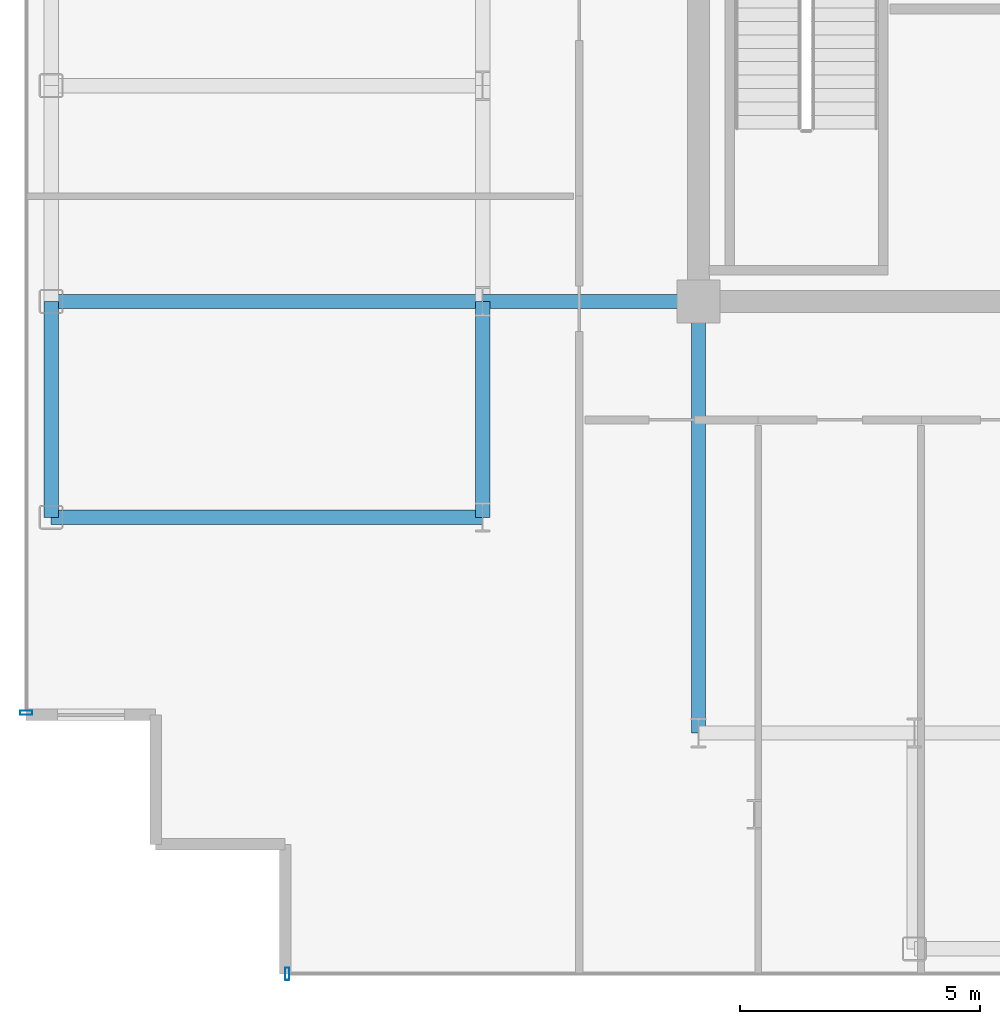
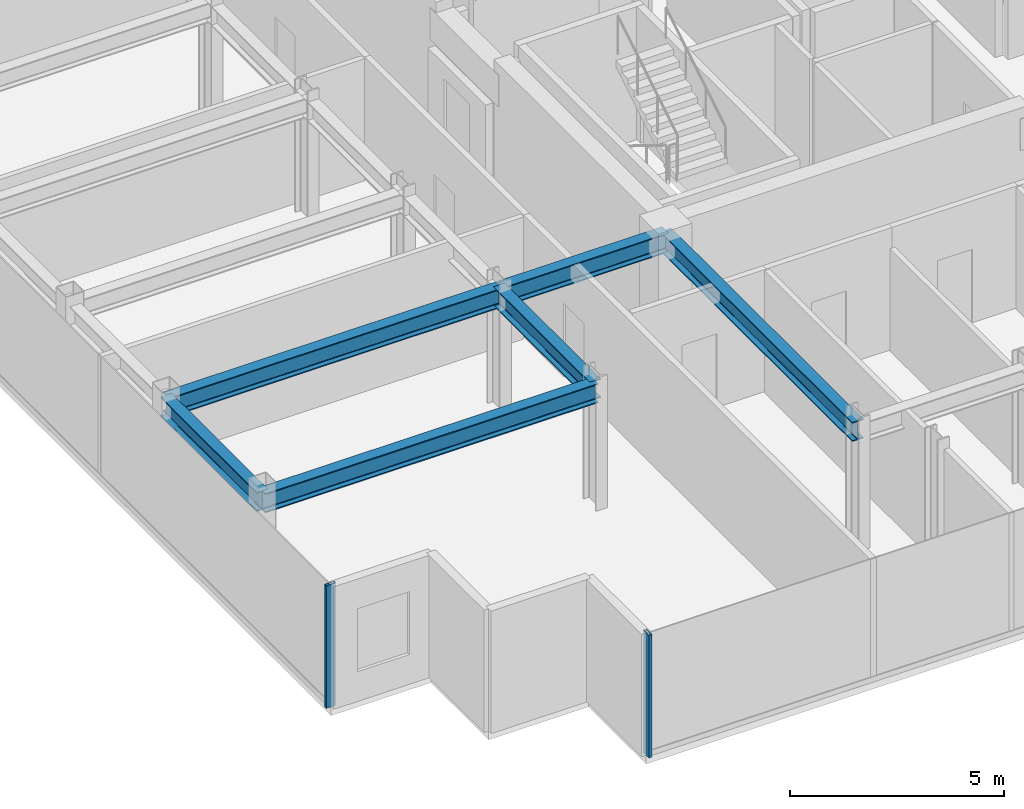
# One storey, part 2 of 18: 6 beams, 2 members, 2 elements without a shape of their own.
"""IFC4 building model written with IfcOpenShell, lengths in metres."""

from ifc_helpers import new_model, si_unit, direction, frame, origin, origin_2d, place, context, subcontext, project, spatial, hollow_rectangle, i_section, extrude, source, transform, mapped, material, layer, layer_set, material_profile, profile_set, type_object, element, aggregate, save


model = new_model("IFC4")

# Units and contexts
model_context = context("Model", 3, precision=1e-05, world=origin(), true_north=direction((0.0, 1.0)))
body_context = subcontext(model_context, "Body", "Model", "MODEL_VIEW")
ifc_project = project(units=[si_unit("LENGTHUNIT", "METRE"), si_unit("AREAUNIT", "SQUARE_METRE"), si_unit("VOLUMEUNIT", "CUBIC_METRE"), si_unit("PLANEANGLEUNIT", "RADIAN"), si_unit("MASSUNIT", "GRAM", prefix="KILO")], contexts=[model_context])

# Site, building, storey
site_placement = place(None, origin())
site = spatial("IfcSite", under=ifc_project, at=site_placement, CompositionType="ELEMENT")
building_placement = place(site_placement, origin())
building = spatial("IfcBuilding", under=site, at=building_placement, Name="Nefas-Gora Pilgrimage Tower", CompositionType="ELEMENT")
storey_placement = place(building_placement, frame((0.0, 0.0, 314.0)))
storey = spatial("IfcBuildingStorey", under=building, at=storey_placement, Name="L79", CompositionType="ELEMENT", Elevation=314.0)

# Beams
ifc_material_1 = material(Name="Steel S355", Category="steel")
ifc_material_profile_1 = material_profile(ifc_material_1, i_section(OverallWidth=0.300048828125, OverallDepth=0.550048828125, WebThickness=0.014892578125, FlangeThickness=0.029052734375, FilletRadius=0.027099609375, at=origin_2d()), Name="HEB 550")
ifc_profile_set_1 = profile_set([ifc_material_profile_1], Name="Steel S355")
beam_type_1 = type_object("IfcBeamType", Name="BM-SPN-HEB400", PredefinedType="SPANDREL", material=ifc_profile_set_1)
shared_shape_1 = source(origin(), body_context, "Body", "SweptSolid", [
    extrude(i_section(OverallWidth=0.300048828125, OverallDepth=0.550048828125, WebThickness=0.014892578125, FlangeThickness=0.029052734375, FilletRadius=0.027099609375, at=origin_2d()), origin(), (0.0, 0.0, 1.0), 4.5),
])
beam_placement = place(storey_placement, frame((-24.75, -13.5, 3.22509765625), z_axis=(0.0, 1.0, 0.0), x_axis=(-1.0, 0.0, 0.0)))
element("IfcBeam", 1, at=beam_placement, inside=storey, type_object=beam_type_1, Name="L79 SP-04 beam", PredefinedType="SPANDREL", context=body_context, shape_type="MappedRepresentation", body=[
    mapped(shared_shape_1, transform((0.0, 0.0, 0.0), x_axis=(1.0, 0.0, 0.0), y_axis=(0.0, 1.0, 0.0), z_axis=(0.0, 0.0, 1.0), scale=1.0)),
])
ifc_material_profile_2 = material_profile(ifc_material_1, i_section(OverallWidth=0.300048828125, OverallDepth=0.550048828125, WebThickness=0.014892578125, FlangeThickness=0.029052734375, FilletRadius=0.027099609375, at=origin_2d()), Name="HEB 550")
ifc_profile_set_2 = profile_set([ifc_material_profile_2], Name="Steel S355")
beam_type_2 = type_object("IfcBeamType", Name="BM-GIR-HEB550", PredefinedType="BEAM", material=ifc_profile_set_2)
shared_shape_2 = source(origin(), body_context, "Body", "SweptSolid", [
    extrude(i_section(OverallWidth=0.300048828125, OverallDepth=0.550048828125, WebThickness=0.014892578125, FlangeThickness=0.029052734375, FilletRadius=0.027099609375, at=origin_2d()), origin(), (0.0, 0.0, 1.0), 9.0),
])
for number, where, z_axis, x_axis, name in (
    (2, (-24.75, -13.5, 3.22509765625), (1.0, 0.0, 0.0), (0.0, 1.0, 0.0), "L79 G-05 beam"),
    (3, (-24.75, -9.0, 3.22509765625), (1.0, 0.0, 0.0), (0.0, 1.0, 0.0), "L79 G-05 beam"),
    (4, (-11.25, -18.0, 3.22509765625), (0.0, 1.0, 0.0), (-1.0, 0.0, 0.0), "L79 G-05 beam"),
):
    element("IfcBeam", number, at=place(storey_placement, frame(where, z_axis=z_axis, x_axis=x_axis)), inside=storey, type_object=beam_type_2, Name=name, PredefinedType="BEAM", context=body_context, shape_type="MappedRepresentation", body=[
        mapped(shared_shape_2, transform((0.0, 0.0, 0.0), x_axis=(1.0, 0.0, 0.0), y_axis=(0.0, 1.0, 0.0), z_axis=(0.0, 0.0, 1.0), scale=1.0)),
    ])
shared_shape_3 = source(origin(), body_context, "Body", "SweptSolid", [
    extrude(i_section(OverallWidth=0.300048828125, OverallDepth=0.550048828125, WebThickness=0.014892578125, FlangeThickness=0.029052734375, FilletRadius=0.027099609375, at=origin_2d()), origin(), (0.0, 0.0, 1.0), 4.5),
])
for number, where, z_axis, x_axis, name in (
    (5, (-15.75, -13.5, 3.22509765625), (0.0, 1.0, 0.0), (-1.0, 0.0, 0.0), "L79 G-05 beam"),
    (6, (-15.75, -9.0, 3.22509765625), (1.0, 0.0, 0.0), (0.0, 1.0, 0.0), "L79 G-05 beam"),
):
    element("IfcBeam", number, at=place(storey_placement, frame(where, z_axis=z_axis, x_axis=x_axis)), inside=storey, type_object=beam_type_2, Name=name, PredefinedType="BEAM", context=body_context, shape_type="MappedRepresentation", body=[
        mapped(shared_shape_3, transform((0.0, 0.0, 0.0), x_axis=(1.0, 0.0, 0.0), y_axis=(0.0, 1.0, 0.0), z_axis=(0.0, 0.0, 1.0), scale=1.0)),
    ])

# Curtain wall, member
ifc_material_2 = material(Name="Dark ceramic-fritted solar-control aluminium-glass curtain wall", Category="aluminium")
ifc_layer = layer(ifc_material_2, 0.219970703125)
ifc_layer_set = layer_set([ifc_layer], Name="Dark ceramic-fritted solar-control aluminium-glass curtain wall")
curtain_wall_type = type_object("IfcCurtainWallType", Name="CW-SYS-4", PredefinedType="NOTDEFINED", material=ifc_layer_set)
curtain_wall_1_placement = place(storey_placement, origin())
curtain_wall_1 = element("IfcCurtainWall", 7, at=curtain_wall_1_placement, inside=storey, type_object=curtain_wall_type, Name="L79 Unitised Curtain Wall CW4", PredefinedType="NOTDEFINED")
ifc_material_3 = material(Name="Anodised architectural aluminium", Category="aluminium")
ifc_material_profile_3 = material_profile(ifc_material_3, hollow_rectangle(XDim=0.090087890625, YDim=0.260009765625, WallThickness=0.006103515625, InnerFilletRadius=0.006103515625, OuterFilletRadius=0.011962890625, at=origin_2d()), Name="ALU MULLION 90x260")
ifc_profile_set_3 = profile_set([ifc_material_profile_3], Name="Anodised architectural aluminium")
member_type = type_object("IfcMemberType", Name="CWM-MUL-4", PredefinedType="MULLION", material=ifc_profile_set_3)
shared_shape_4 = source(origin(), body_context, "Body", "SweptSolid", [
    extrude(hollow_rectangle(XDim=0.090087890625, YDim=0.260009765625, WallThickness=0.006103515625, InnerFilletRadius=0.006103515625, OuterFilletRadius=0.011962890625, at=origin_2d()), origin(), (0.0, 0.0, 1.0), 3.5),
])
member_1_placement = place(storey_placement, frame((-25.27001953125, -17.574951171875, 0.0), z_axis=(0.0, 0.0, 1.0), x_axis=(0.0, -1.0, 0.0)))
member_1 = element("IfcMember", 8, at=member_1_placement, type_object=member_type, Name="CW4 Mullion 3", PredefinedType="MULLION", context=body_context, shape_type="MappedRepresentation", body=[
    mapped(shared_shape_4, transform((0.0, 0.0, 0.0), x_axis=(1.0, 0.0, 0.0), y_axis=(0.0, 1.0, 0.0), z_axis=(0.0, 0.0, 1.0), scale=1.0)),
])
aggregate(curtain_wall_1, [member_1])

curtain_wall_2_placement = place(storey_placement, origin())
curtain_wall_2 = element("IfcCurtainWall", 9, at=curtain_wall_2_placement, inside=storey, type_object=curtain_wall_type, Name="L79 Unitised Curtain Wall CW4", PredefinedType="NOTDEFINED")
member_2_placement = place(storey_placement, frame((-19.824951171875, -23.02001953125, 0.0), z_axis=(0.0, 0.0, 1.0), x_axis=(1.0, 0.0, 0.0)))
member_2 = element("IfcMember", 10, at=member_2_placement, type_object=member_type, Name="CW4 Mullion 1", PredefinedType="MULLION", context=body_context, shape_type="MappedRepresentation", body=[
    mapped(shared_shape_4, transform((0.0, 0.0, 0.0), x_axis=(1.0, 0.0, 0.0), y_axis=(0.0, 1.0, 0.0), z_axis=(0.0, 0.0, 1.0), scale=1.0)),
])
aggregate(curtain_wall_2, [member_2])

save(model, "model.ifc")
